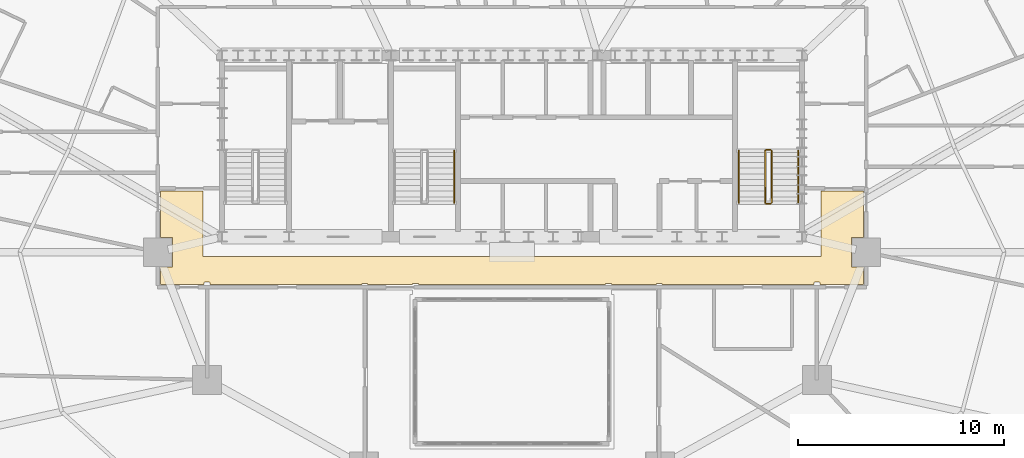
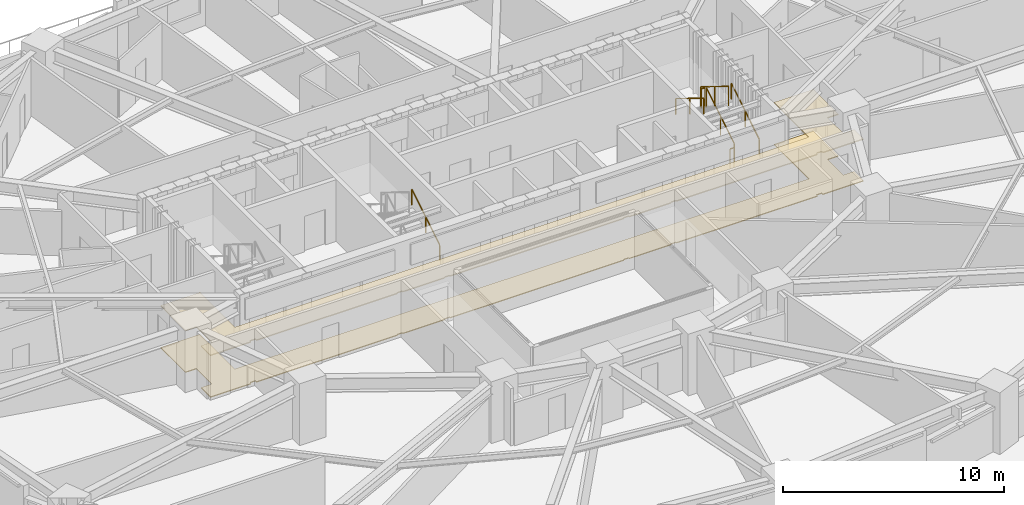
# One storey, part 17 of 18: 7 railings, 2 coverings.
"""IFC4 building model written with IfcOpenShell, lengths in metres."""

import ifcopenshell
import ifcopenshell.guid

model = None  # the IFC model being written
_history = None  # IfcOwnerHistory: only IFC2X3 demands one
_inside = {}  # id of a spatial element -> (the spatial element, [elements in it])
_under = {}  # id of a project, library or spatial element -> (it, [spatial elements below it])
_declared = {}  # id of a project -> (the project, [libraries it declares])
_typed = {}  # id of a type object -> (the type object, [elements of that type])
_made_of = {}  # id of a material, layer set ... -> (it, [elements and type objects made of it])


def new_model(schema):
    """Start an empty IFC model of exactly this schema.

    Asked for "IFC4X3", IfcOpenShell would pick the latest addendum, in which some entities
    have other attributes; the version numbers below select the first issue.
    IFC2X3 requires an IfcOwnerHistory on every rooted entity: one is made here for all.
    """
    global model, _history
    if schema == "IFC4X3":
        model = ifcopenshell.file(schema_version=(4, 3, 0, 0))
    else:
        model = ifcopenshell.file(schema=schema)
    _inside.clear()
    _under.clear()
    _declared.clear()
    _typed.clear()
    _made_of.clear()
    _history = None
    if model.schema == "IFC2X3":
        org = make("IfcOrganization", Name="unknown")
        user = make(
            "IfcPersonAndOrganization",
            ThePerson=make("IfcPerson", FamilyName="unknown"),
            TheOrganization=org,
        )
        app = make(
            "IfcApplication",
            ApplicationDeveloper=org,
            Version="unknown",
            ApplicationFullName="unknown",
            ApplicationIdentifier="unknown",
        )
        _history = make(
            "IfcOwnerHistory",
            OwningUser=user,
            OwningApplication=app,
            ChangeAction="ADDED",
            CreationDate=0,
        )
    return model


def make(cls, **values):
    """One entity of the class cls with the attributes given. An attribute that is None is left unset."""
    return model.create_entity(
        cls, **{name: value for name, value in values.items() if value is not None}
    )


def rooted(cls, **values):
    """An entity with a GlobalId (a new one), such as an element, a storey or a relation."""
    return make(cls, GlobalId=ifcopenshell.guid.new(), OwnerHistory=_history, **values)


def si_unit(unit_type, name, prefix=None):
    """IfcSIUnit, for example si_unit("LENGTHUNIT", "METRE", prefix="MILLI")."""
    return make("IfcSIUnit", UnitType=unit_type, Prefix=prefix, Name=name)


def assignment(units):
    """IfcUnitAssignment: the units of a project."""
    return None if units is None else make("IfcUnitAssignment", Units=units)


def point(xyz):
    """IfcCartesianPoint."""
    return None if xyz is None else make("IfcCartesianPoint", Coordinates=xyz)


def direction(xyz):
    """IfcDirection."""
    return None if xyz is None else make("IfcDirection", DirectionRatios=xyz)


def frame(location, z_axis=None, x_axis=None):
    """IfcAxis2Placement3D, a coordinate frame: its origin and axes. An axis left out is left unset."""
    return make(
        "IfcAxis2Placement3D",
        Location=point(location),
        Axis=direction(z_axis),
        RefDirection=direction(x_axis),
    )


def frame_2d(location, x_axis=None):
    """IfcAxis2Placement2D, a coordinate frame in the plane: its origin and x axis."""
    return make(
        "IfcAxis2Placement2D", Location=point(location), RefDirection=direction(x_axis)
    )


def origin():
    """The frame at (0, 0, 0) with its axes left unset."""
    return frame((0.0, 0.0, 0.0))


def origin_2d():
    """The frame at (0, 0) in the plane with its x axis left unset."""
    return frame_2d((0.0, 0.0))


def place(relative_to, where):
    """IfcLocalPlacement: puts the frame where relative to a parent placement (None: the world)."""
    return make(
        "IfcLocalPlacement", PlacementRelTo=relative_to, RelativePlacement=where
    )


def context(
    kind, dimensions, precision=None, world=None, true_north=None, identifier=None
):
    """IfcGeometricRepresentationContext, for example the 3D "Model" context."""
    return make(
        "IfcGeometricRepresentationContext",
        ContextIdentifier=identifier,
        ContextType=kind,
        CoordinateSpaceDimension=dimensions,
        Precision=precision,
        WorldCoordinateSystem=world,
        TrueNorth=true_north,
    )


def subcontext(parent, identifier, kind, view, scale=None):
    """IfcGeometricRepresentationSubContext, for example "Body" below "Model"."""
    return make(
        "IfcGeometricRepresentationSubContext",
        ContextIdentifier=identifier,
        ContextType=kind,
        ParentContext=parent,
        TargetScale=scale,
        TargetView=view,
    )


def project(units=None, contexts=None):
    """IfcProject with its units and contexts."""
    return rooted(
        "IfcProject",
        Name="project",
        RepresentationContexts=contexts,
        UnitsInContext=assignment(units),
    )


def spatial(cls, under=None, at=None, **own):
    """A site, building, storey or space (cls), placed at a placement, below another one or the project."""
    s = rooted(cls, ObjectPlacement=at, **own)
    if under is not None:
        _under.setdefault(under.id(), (under, []))[1].append(s)
    return s


def polyline(points):
    """IfcPolyline through the points."""
    return make("IfcPolyline", Points=[point(p) for p in points])


def profile(cls, at=None, kind="AREA", **sizes):
    """A parametric profile (cls). Its sizes go by their IFC names, for example OverallWidth=200.0."""
    return make(cls, ProfileType=kind, Position=at, **sizes)


def rectangle(**sizes):
    """IfcRectangleProfileDef."""
    return profile("IfcRectangleProfileDef", **sizes)


def outline(outer, holes=None, kind="AREA"):
    """IfcArbitraryClosedProfileDef: a profile drawn as a closed curve; with holes, ...WithVoids."""
    if holes is None:
        return make("IfcArbitraryClosedProfileDef", ProfileType=kind, OuterCurve=outer)
    return make(
        "IfcArbitraryProfileDefWithVoids",
        ProfileType=kind,
        OuterCurve=outer,
        InnerCurves=holes,
    )


def extrude(swept, where, along, depth):
    """IfcExtrudedAreaSolid: the profile swept, set in the frame where, extruded along a direction by depth."""
    return make(
        "IfcExtrudedAreaSolid",
        SweptArea=swept,
        Position=where,
        ExtrudedDirection=direction(along),
        Depth=depth,
    )


def shape(context_of_items, identifier, shape_type, items):
    """IfcShapeRepresentation: the items that make up one representation, for example the "Body"."""
    return make(
        "IfcShapeRepresentation",
        ContextOfItems=context_of_items,
        RepresentationIdentifier=identifier,
        RepresentationType=shape_type,
        Items=items,
    )


def material(Name=None, Category=None):
    """IfcMaterial."""
    return make("IfcMaterial", Name=Name, Category=Category)


def layer(
    of_material, thickness, ventilated=None, Name=None, Category=None, Priority=None
):
    """IfcMaterialLayer: one layer of a wall or slab, of a material (None: an air gap)."""
    return make(
        "IfcMaterialLayer",
        Material=of_material,
        LayerThickness=thickness,
        IsVentilated=ventilated,
        Name=Name,
        Category=Category,
        Priority=Priority,
    )


def layer_set(layers, Name=None):
    """IfcMaterialLayerSet."""
    return make("IfcMaterialLayerSet", MaterialLayers=layers, LayerSetName=Name)


def made_of(thing, what):
    """Note that an element or type object is made of a material, layer set ...; save() writes the relation."""
    if what is not None:
        _made_of.setdefault(what.id(), (what, []))[1].append(thing)
    return thing


def type_object(cls, material=None, **own):
    """A type object (cls), such as IfcWallType, which elements share."""
    return made_of(rooted(cls, **own), material)


def element(
    cls,
    number,
    at=None,
    inside=None,
    cuts=None,
    type_object=None,
    material=None,
    context=None,
    identifier="Body",
    shape_type=None,
    held_by="IfcProductDefinitionShape",
    body=None,
    shapes=None,
    **own,
):
    """One element of the class cls, such as IfcWall. Its Tag is "e" and its number.

    at: its placement. inside: the storey or other place that contains it. cuts: it is an
    opening in that element (IfcRelVoidsElement). A single representation is given by context,
    identifier, shape_type and body (its items); several are given by shapes. held_by: the class
    of the entity that holds the representations. save() writes the other relations.
    """
    e = rooted(cls, Tag="e%d" % number, ObjectPlacement=at, **own)
    if body is not None:
        shapes = [shape(context, identifier, shape_type, body)]
    if shapes is not None:
        e.Representation = make(held_by, Representations=shapes)
    if inside is not None:
        _inside.setdefault(inside.id(), (inside, []))[1].append(e)
    if cuts is not None:
        rooted(
            "IfcRelVoidsElement", RelatingBuildingElement=cuts, RelatedOpeningElement=e
        )
    if type_object is not None:
        _typed.setdefault(type_object.id(), (type_object, []))[1].append(e)
    return made_of(e, material)


def aggregate(whole, parts):
    """IfcRelAggregates: a whole, such as a stair, and the parts it consists of."""
    return rooted("IfcRelAggregates", RelatingObject=whole, RelatedObjects=parts)


def save(model, path):
    """Write the relations noted so far, then the file.

    IfcRelAggregates (storeys below a building ...), IfcRelContainedInSpatialStructure (elements
    in a storey), IfcRelDefinesByType, IfcRelAssociatesMaterial and IfcRelDeclares: one each for
    every whole, place, type object, material and project.
    """
    for whole, parts in _under.values():
        aggregate(whole, parts)
    for where, things in _inside.values():
        rooted(
            "IfcRelContainedInSpatialStructure",
            RelatedElements=things,
            RelatingStructure=where,
        )
    for kind, things in _typed.values():
        rooted("IfcRelDefinesByType", RelatedObjects=things, RelatingType=kind)
    for what, things in _made_of.values():
        rooted("IfcRelAssociatesMaterial", RelatedObjects=things, RelatingMaterial=what)
    for by, libraries in _declared.values():
        rooted("IfcRelDeclares", RelatingContext=by, RelatedDefinitions=libraries)
    model.write(path)


model = new_model("IFC4")

# Units and contexts
model_context = context("Model", 3, precision=1e-05, world=origin(), true_north=direction((0.0, 1.0)))
body_context = subcontext(model_context, "Body", "Model", "MODEL_VIEW")
ifc_project = project(units=[si_unit("LENGTHUNIT", "METRE"), si_unit("AREAUNIT", "SQUARE_METRE"), si_unit("VOLUMEUNIT", "CUBIC_METRE"), si_unit("PLANEANGLEUNIT", "RADIAN"), si_unit("MASSUNIT", "GRAM", prefix="KILO")], contexts=[model_context])

# Site, building, storey
site_placement = place(None, origin())
site = spatial("IfcSite", under=ifc_project, at=site_placement, CompositionType="ELEMENT")
building_placement = place(site_placement, origin())
building = spatial("IfcBuilding", under=site, at=building_placement, Name="Haldorwick Loom Tower", CompositionType="ELEMENT")
storey_placement = place(building_placement, frame((0.0, 0.0, 24.0)))
storey = spatial("IfcBuildingStorey", under=building, at=storey_placement, Name="L05", CompositionType="ELEMENT", Elevation=24.0)

# Coverings
ifc_material_1 = material(Name="Mineral Fibre Acoustic Ceiling Tile")
ifc_layer_1 = layer(ifc_material_1, 0.054931640625, Name="Mineral Fibre Acoustic Ceiling Tile")
ifc_layer_set_1 = layer_set([ifc_layer_1], Name="Mineral Fibre Acoustic Ceiling Tile")
covering_type_1 = type_object("IfcCoveringType", Name="ARC-COV-CEIL2", PredefinedType="CEILING", material=ifc_layer_set_1)
covering_1_placement = place(storey_placement, frame((0.0, 0.0, 2.302001953125)))
element("IfcCovering", 1, at=covering_1_placement, inside=storey, type_object=covering_type_1, Name="L05 Acoustic Suspended Ceiling 2", PredefinedType="CEILING", context=body_context, shape_type="SweptSolid", body=[
    extrude(outline(polyline([(51.0, 28.9599609375), (51.0, 25.800048828125), (21.0, 25.800048828125), (21.0, 28.9599609375), (18.93994140625, 28.9599609375), (18.93994140625, 26.7080078125), (19.508056640625, 26.7080078125), (19.508056640625, 25.2919921875), (18.93994140625, 25.2919921875), (18.93994140625, 24.43994140625), (21.06005859375, 24.43994140625), (21.06005859375, 24.52001953125), (21.06005859375, 24.52197265625), (21.060302734375, 24.52392578125), (21.060791015625, 24.52587890625), (21.0615234375, 24.527587890625), (21.0625, 24.529296875), (21.0634765625, 24.531005859375), (21.064453125, 24.53271484375), (21.06591796875, 24.5341796875), (21.0673828125, 24.535400390625), (21.06884765625, 24.53662109375), (21.070556640625, 24.53759765625), (21.072265625, 24.53857421875), (21.07421875, 24.5390625), (21.076171875, 24.53955078125), (21.077880859375, 24.539794921875), (21.080078125, 24.5400390625), (21.320068359375, 24.5400390625), (21.322021484375, 24.539794921875), (21.323974609375, 24.53955078125), (21.32568359375, 24.5390625), (21.32763671875, 24.53857421875), (21.329345703125, 24.53759765625), (21.3310546875, 24.53662109375), (21.332763671875, 24.535400390625), (21.333984375, 24.5341796875), (21.33544921875, 24.53271484375), (21.336669921875, 24.531005859375), (21.337646484375, 24.529296875), (21.33837890625, 24.527587890625), (21.339111328125, 24.52587890625), (21.339599609375, 24.52392578125), (21.33984375, 24.52197265625), (21.340087890625, 24.52001953125), (21.340087890625, 24.43994140625), (28.7099609375, 24.43994140625), (28.7099609375, 24.469970703125), (28.710205078125, 24.471923828125), (28.71044921875, 24.473876953125), (28.7109375, 24.475830078125), (28.71142578125, 24.477783203125), (28.71240234375, 24.4794921875), (28.71337890625, 24.481201171875), (28.714599609375, 24.482666015625), (28.7158203125, 24.484130859375), (28.71728515625, 24.485595703125), (28.718994140625, 24.486572265625), (28.720703125, 24.487548828125), (28.722412109375, 24.488525390625), (28.72412109375, 24.489013671875), (28.72607421875, 24.489501953125), (28.72802734375, 24.489990234375), (28.72998046875, 24.489990234375), (28.969970703125, 24.489990234375), (28.971923828125, 24.489990234375), (28.973876953125, 24.489501953125), (28.975830078125, 24.489013671875), (28.977783203125, 24.488525390625), (28.9794921875, 24.487548828125), (28.981201171875, 24.486572265625), (28.982666015625, 24.485595703125), (28.984130859375, 24.484130859375), (28.985595703125, 24.482666015625), (28.986572265625, 24.481201171875), (28.987548828125, 24.4794921875), (28.988525390625, 24.477783203125), (28.989013671875, 24.475830078125), (28.989501953125, 24.473876953125), (28.989990234375, 24.471923828125), (28.989990234375, 24.469970703125), (28.989990234375, 24.43994140625), (31.179931640625, 24.43994140625), (31.179931640625, 24.469970703125), (31.18017578125, 24.471923828125), (31.180419921875, 24.473876953125), (31.180908203125, 24.475830078125), (31.181396484375, 24.477783203125), (31.182373046875, 24.4794921875), (31.183349609375, 24.481201171875), (31.1845703125, 24.482666015625), (31.185791015625, 24.484130859375), (31.187255859375, 24.485595703125), (31.18896484375, 24.486572265625), (31.190673828125, 24.487548828125), (31.1923828125, 24.488525390625), (31.194091796875, 24.489013671875), (31.196044921875, 24.489501953125), (31.197998046875, 24.489990234375), (31.199951171875, 24.489990234375), (31.43994140625, 24.489990234375), (31.44189453125, 24.489990234375), (31.44384765625, 24.489501953125), (31.44580078125, 24.489013671875), (31.44775390625, 24.488525390625), (31.449462890625, 24.487548828125), (31.451171875, 24.486572265625), (31.45263671875, 24.485595703125), (31.4541015625, 24.484130859375), (31.45556640625, 24.482666015625), (31.45654296875, 24.481201171875), (31.45751953125, 24.4794921875), (31.45849609375, 24.477783203125), (31.458984375, 24.475830078125), (31.459716796875, 24.473876953125), (31.4599609375, 24.471923828125), (31.4599609375, 24.469970703125), (31.4599609375, 24.43994140625), (40.5400390625, 24.43994140625), (40.5400390625, 24.469970703125), (40.5400390625, 24.471923828125), (40.540283203125, 24.473876953125), (40.541015625, 24.475830078125), (40.54150390625, 24.477783203125), (40.54248046875, 24.4794921875), (40.54345703125, 24.481201171875), (40.54443359375, 24.482666015625), (40.5458984375, 24.484130859375), (40.54736328125, 24.485595703125), (40.548828125, 24.486572265625), (40.550537109375, 24.487548828125), (40.55224609375, 24.488525390625), (40.55419921875, 24.489013671875), (40.55615234375, 24.489501953125), (40.55810546875, 24.489990234375), (40.56005859375, 24.489990234375), (40.800048828125, 24.489990234375), (40.802001953125, 24.489990234375), (40.803955078125, 24.489501953125), (40.805908203125, 24.489013671875), (40.8076171875, 24.488525390625), (40.809326171875, 24.487548828125), (40.81103515625, 24.486572265625), (40.812744140625, 24.485595703125), (40.814208984375, 24.484130859375), (40.8154296875, 24.482666015625), (40.816650390625, 24.481201171875), (40.817626953125, 24.4794921875), (40.818603515625, 24.477783203125), (40.819091796875, 24.475830078125), (40.819580078125, 24.473876953125), (40.81982421875, 24.471923828125), (40.820068359375, 24.469970703125), (40.820068359375, 24.43994140625), (43.010009765625, 24.43994140625), (43.010009765625, 24.469970703125), (43.010009765625, 24.471923828125), (43.010498046875, 24.473876953125), (43.010986328125, 24.475830078125), (43.011474609375, 24.477783203125), (43.012451171875, 24.4794921875), (43.013427734375, 24.481201171875), (43.014404296875, 24.482666015625), (43.015869140625, 24.484130859375), (43.017333984375, 24.485595703125), (43.018798828125, 24.486572265625), (43.0205078125, 24.487548828125), (43.022216796875, 24.488525390625), (43.024169921875, 24.489013671875), (43.026123046875, 24.489501953125), (43.028076171875, 24.489990234375), (43.030029296875, 24.489990234375), (43.27001953125, 24.489990234375), (43.27197265625, 24.489990234375), (43.27392578125, 24.489501953125), (43.27587890625, 24.489013671875), (43.277587890625, 24.488525390625), (43.279296875, 24.487548828125), (43.281005859375, 24.486572265625), (43.28271484375, 24.485595703125), (43.2841796875, 24.484130859375), (43.285400390625, 24.482666015625), (43.28662109375, 24.481201171875), (43.28759765625, 24.4794921875), (43.28857421875, 24.477783203125), (43.2890625, 24.475830078125), (43.28955078125, 24.473876953125), (43.289794921875, 24.471923828125), (43.2900390625, 24.469970703125), (43.2900390625, 24.43994140625), (50.659912109375, 24.43994140625), (50.659912109375, 24.52001953125), (50.66015625, 24.52197265625), (50.660400390625, 24.52392578125), (50.660888671875, 24.52587890625), (50.66162109375, 24.527587890625), (50.662353515625, 24.529296875), (50.663330078125, 24.531005859375), (50.66455078125, 24.53271484375), (50.666015625, 24.5341796875), (50.667236328125, 24.535400390625), (50.6689453125, 24.53662109375), (50.670654296875, 24.53759765625), (50.67236328125, 24.53857421875), (50.67431640625, 24.5390625), (50.676025390625, 24.53955078125), (50.677978515625, 24.539794921875), (50.679931640625, 24.5400390625), (50.919921875, 24.5400390625), (50.922119140625, 24.539794921875), (50.923828125, 24.53955078125), (50.92578125, 24.5390625), (50.927734375, 24.53857421875), (50.929443359375, 24.53759765625), (50.93115234375, 24.53662109375), (50.9326171875, 24.535400390625), (50.93408203125, 24.5341796875), (50.935546875, 24.53271484375), (50.9365234375, 24.531005859375), (50.9375, 24.529296875), (50.9384765625, 24.527587890625), (50.939208984375, 24.52587890625), (50.939697265625, 24.52392578125), (50.93994140625, 24.52197265625), (50.93994140625, 24.52001953125), (50.93994140625, 24.43994140625), (53.06005859375, 24.43994140625), (53.06005859375, 25.2919921875), (52.491943359375, 25.2919921875), (52.491943359375, 26.7080078125), (53.06005859375, 26.7080078125), (53.06005859375, 28.9599609375), (51.0, 28.9599609375)])), origin(), (0.0, 0.0, 1.0), 0.054931640625),
])
ifc_material_2 = material(Name="Polished Aggregate Terrazzo Finish")
ifc_layer_2 = layer(ifc_material_2, 0.044921875, Name="Polished Aggregate Terrazzo Finish")
ifc_layer_set_2 = layer_set([ifc_layer_2], Name="Polished Aggregate Terrazzo Finish")
covering_type_2 = type_object("IfcCoveringType", Name="ARC-COV-FLOOR2", PredefinedType="FLOORING", material=ifc_layer_set_2)
covering_2_placement = place(storey_placement, origin())
element("IfcCovering", 2, at=covering_2_placement, inside=storey, type_object=covering_type_2, Name="L05 Floor Finish 2", PredefinedType="FLOORING", context=body_context, shape_type="SweptSolid", body=[
    extrude(outline(polyline([(51.0, 28.9599609375), (51.0, 25.800048828125), (21.0, 25.800048828125), (21.0, 28.9599609375), (18.93994140625, 28.9599609375), (18.93994140625, 26.7080078125), (19.508056640625, 26.7080078125), (19.508056640625, 25.2919921875), (18.93994140625, 25.2919921875), (18.93994140625, 24.43994140625), (21.06005859375, 24.43994140625), (21.06005859375, 24.52001953125), (21.06005859375, 24.52197265625), (21.060302734375, 24.52392578125), (21.060791015625, 24.52587890625), (21.0615234375, 24.527587890625), (21.0625, 24.529296875), (21.0634765625, 24.531005859375), (21.064453125, 24.53271484375), (21.06591796875, 24.5341796875), (21.0673828125, 24.535400390625), (21.06884765625, 24.53662109375), (21.070556640625, 24.53759765625), (21.072265625, 24.53857421875), (21.07421875, 24.5390625), (21.076171875, 24.53955078125), (21.077880859375, 24.539794921875), (21.080078125, 24.5400390625), (21.320068359375, 24.5400390625), (21.322021484375, 24.539794921875), (21.323974609375, 24.53955078125), (21.32568359375, 24.5390625), (21.32763671875, 24.53857421875), (21.329345703125, 24.53759765625), (21.3310546875, 24.53662109375), (21.332763671875, 24.535400390625), (21.333984375, 24.5341796875), (21.33544921875, 24.53271484375), (21.336669921875, 24.531005859375), (21.337646484375, 24.529296875), (21.33837890625, 24.527587890625), (21.339111328125, 24.52587890625), (21.339599609375, 24.52392578125), (21.33984375, 24.52197265625), (21.340087890625, 24.52001953125), (21.340087890625, 24.43994140625), (28.7099609375, 24.43994140625), (28.7099609375, 24.469970703125), (28.710205078125, 24.471923828125), (28.71044921875, 24.473876953125), (28.7109375, 24.475830078125), (28.71142578125, 24.477783203125), (28.71240234375, 24.4794921875), (28.71337890625, 24.481201171875), (28.714599609375, 24.482666015625), (28.7158203125, 24.484130859375), (28.71728515625, 24.485595703125), (28.718994140625, 24.486572265625), (28.720703125, 24.487548828125), (28.722412109375, 24.488525390625), (28.72412109375, 24.489013671875), (28.72607421875, 24.489501953125), (28.72802734375, 24.489990234375), (28.72998046875, 24.489990234375), (28.969970703125, 24.489990234375), (28.971923828125, 24.489990234375), (28.973876953125, 24.489501953125), (28.975830078125, 24.489013671875), (28.977783203125, 24.488525390625), (28.9794921875, 24.487548828125), (28.981201171875, 24.486572265625), (28.982666015625, 24.485595703125), (28.984130859375, 24.484130859375), (28.985595703125, 24.482666015625), (28.986572265625, 24.481201171875), (28.987548828125, 24.4794921875), (28.988525390625, 24.477783203125), (28.989013671875, 24.475830078125), (28.989501953125, 24.473876953125), (28.989990234375, 24.471923828125), (28.989990234375, 24.469970703125), (28.989990234375, 24.43994140625), (31.179931640625, 24.43994140625), (31.179931640625, 24.469970703125), (31.18017578125, 24.471923828125), (31.180419921875, 24.473876953125), (31.180908203125, 24.475830078125), (31.181396484375, 24.477783203125), (31.182373046875, 24.4794921875), (31.183349609375, 24.481201171875), (31.1845703125, 24.482666015625), (31.185791015625, 24.484130859375), (31.187255859375, 24.485595703125), (31.18896484375, 24.486572265625), (31.190673828125, 24.487548828125), (31.1923828125, 24.488525390625), (31.194091796875, 24.489013671875), (31.196044921875, 24.489501953125), (31.197998046875, 24.489990234375), (31.199951171875, 24.489990234375), (31.43994140625, 24.489990234375), (31.44189453125, 24.489990234375), (31.44384765625, 24.489501953125), (31.44580078125, 24.489013671875), (31.44775390625, 24.488525390625), (31.449462890625, 24.487548828125), (31.451171875, 24.486572265625), (31.45263671875, 24.485595703125), (31.4541015625, 24.484130859375), (31.45556640625, 24.482666015625), (31.45654296875, 24.481201171875), (31.45751953125, 24.4794921875), (31.45849609375, 24.477783203125), (31.458984375, 24.475830078125), (31.459716796875, 24.473876953125), (31.4599609375, 24.471923828125), (31.4599609375, 24.469970703125), (31.4599609375, 24.43994140625), (40.5400390625, 24.43994140625), (40.5400390625, 24.469970703125), (40.5400390625, 24.471923828125), (40.540283203125, 24.473876953125), (40.541015625, 24.475830078125), (40.54150390625, 24.477783203125), (40.54248046875, 24.4794921875), (40.54345703125, 24.481201171875), (40.54443359375, 24.482666015625), (40.5458984375, 24.484130859375), (40.54736328125, 24.485595703125), (40.548828125, 24.486572265625), (40.550537109375, 24.487548828125), (40.55224609375, 24.488525390625), (40.55419921875, 24.489013671875), (40.55615234375, 24.489501953125), (40.55810546875, 24.489990234375), (40.56005859375, 24.489990234375), (40.800048828125, 24.489990234375), (40.802001953125, 24.489990234375), (40.803955078125, 24.489501953125), (40.805908203125, 24.489013671875), (40.8076171875, 24.488525390625), (40.809326171875, 24.487548828125), (40.81103515625, 24.486572265625), (40.812744140625, 24.485595703125), (40.814208984375, 24.484130859375), (40.8154296875, 24.482666015625), (40.816650390625, 24.481201171875), (40.817626953125, 24.4794921875), (40.818603515625, 24.477783203125), (40.819091796875, 24.475830078125), (40.819580078125, 24.473876953125), (40.81982421875, 24.471923828125), (40.820068359375, 24.469970703125), (40.820068359375, 24.43994140625), (43.010009765625, 24.43994140625), (43.010009765625, 24.469970703125), (43.010009765625, 24.471923828125), (43.010498046875, 24.473876953125), (43.010986328125, 24.475830078125), (43.011474609375, 24.477783203125), (43.012451171875, 24.4794921875), (43.013427734375, 24.481201171875), (43.014404296875, 24.482666015625), (43.015869140625, 24.484130859375), (43.017333984375, 24.485595703125), (43.018798828125, 24.486572265625), (43.0205078125, 24.487548828125), (43.022216796875, 24.488525390625), (43.024169921875, 24.489013671875), (43.026123046875, 24.489501953125), (43.028076171875, 24.489990234375), (43.030029296875, 24.489990234375), (43.27001953125, 24.489990234375), (43.27197265625, 24.489990234375), (43.27392578125, 24.489501953125), (43.27587890625, 24.489013671875), (43.277587890625, 24.488525390625), (43.279296875, 24.487548828125), (43.281005859375, 24.486572265625), (43.28271484375, 24.485595703125), (43.2841796875, 24.484130859375), (43.285400390625, 24.482666015625), (43.28662109375, 24.481201171875), (43.28759765625, 24.4794921875), (43.28857421875, 24.477783203125), (43.2890625, 24.475830078125), (43.28955078125, 24.473876953125), (43.289794921875, 24.471923828125), (43.2900390625, 24.469970703125), (43.2900390625, 24.43994140625), (50.659912109375, 24.43994140625), (50.659912109375, 24.52001953125), (50.66015625, 24.52197265625), (50.660400390625, 24.52392578125), (50.660888671875, 24.52587890625), (50.66162109375, 24.527587890625), (50.662353515625, 24.529296875), (50.663330078125, 24.531005859375), (50.66455078125, 24.53271484375), (50.666015625, 24.5341796875), (50.667236328125, 24.535400390625), (50.6689453125, 24.53662109375), (50.670654296875, 24.53759765625), (50.67236328125, 24.53857421875), (50.67431640625, 24.5390625), (50.676025390625, 24.53955078125), (50.677978515625, 24.539794921875), (50.679931640625, 24.5400390625), (50.919921875, 24.5400390625), (50.922119140625, 24.539794921875), (50.923828125, 24.53955078125), (50.92578125, 24.5390625), (50.927734375, 24.53857421875), (50.929443359375, 24.53759765625), (50.93115234375, 24.53662109375), (50.9326171875, 24.535400390625), (50.93408203125, 24.5341796875), (50.935546875, 24.53271484375), (50.9365234375, 24.531005859375), (50.9375, 24.529296875), (50.9384765625, 24.527587890625), (50.939208984375, 24.52587890625), (50.939697265625, 24.52392578125), (50.93994140625, 24.52197265625), (50.93994140625, 24.52001953125), (50.93994140625, 24.43994140625), (53.06005859375, 24.43994140625), (53.06005859375, 25.2919921875), (52.491943359375, 25.2919921875), (52.491943359375, 26.7080078125), (53.06005859375, 26.7080078125), (53.06005859375, 28.9599609375), (51.0, 28.9599609375)])), origin(), (0.0, 0.0, 1.0), 0.044921875),
])

# Railings
ifc_material_3 = material(Name="Steel CSA G40.21 350W", Category="steel")
railing_type_1 = type_object("IfcRailingType", Name="ARC-RLG-GUARD112", PredefinedType="GUARDRAIL", material=ifc_material_3)
railing_1_placement = place(storey_placement, frame((48.60009765625, 28.39990234375, 0.172607421875)))
element("IfcRailing", 3, at=railing_1_placement, inside=storey, type_object=railing_type_1, Name="L05 ST-02 stair guard 1", PredefinedType="GUARDRAIL", context=body_context, shape_type="SweptSolid", body=[
    extrude(rectangle(XDim=0.048095703125, YDim=0.048095703125, at=origin_2d()), frame((0.0, 0.0, 1.076171875), z_axis=(0.0, 0.851400495292, 0.524516154772), x_axis=(-1.0, 0.0, 0.0)), (0.0, 0.0, 1.0), 2.9599609375),
    extrude(rectangle(XDim=0.0419921875, YDim=0.0419921875, at=origin_2d()), origin(), (0.0, 0.0, 1.0), 1.052001953125),
    extrude(rectangle(XDim=0.0419921875, YDim=0.0419921875, at=origin_2d()), frame((0.0, 1.260009765625, 0.7763671875)), (0.0, 0.0, 1.0), 1.052001953125),
    extrude(rectangle(XDim=0.0419921875, YDim=0.0419921875, at=origin_2d()), frame((0.0, 2.52001953125, 1.552490234375)), (0.0, 0.0, 1.0), 1.052001953125),
])
railing_2_placement = place(storey_placement, frame((48.550048828125, 30.969970703125, 1.72509765625)))
element("IfcRailing", 4, at=railing_2_placement, inside=storey, type_object=railing_type_1, Name="L05 ST-02 stair guard 2", PredefinedType="GUARDRAIL", context=body_context, shape_type="SweptSolid", body=[
    extrude(rectangle(XDim=0.048095703125, YDim=0.048095703125, at=origin_2d()), frame((0.0, 0.0, 1.076171875), z_axis=(-1.0, 0.0, 0.0), x_axis=(0.0, -1.0, 0.0)), (0.0, 0.0, 1.0), 0.199951171875),
    extrude(rectangle(XDim=0.0419921875, YDim=0.0419921875, at=origin_2d()), origin(), (0.0, 0.0, 1.0), 1.052001953125),
    extrude(rectangle(XDim=0.0419921875, YDim=0.0419921875, at=origin_2d()), frame((-0.199951171875, 0.0, 0.0)), (0.0, 0.0, 1.0), 1.052001953125),
])
railing_3_placement = place(storey_placement, frame((48.300048828125, 30.919921875, 1.8974609375)))
element("IfcRailing", 5, at=railing_3_placement, inside=storey, type_object=railing_type_1, Name="L05 ST-02 stair guard 3", PredefinedType="GUARDRAIL", context=body_context, shape_type="SweptSolid", body=[
    extrude(rectangle(XDim=0.048095703125, YDim=0.048095703125, at=origin_2d()), frame((0.0, 0.0, 1.076171875), z_axis=(0.0, -0.851400495292, 0.524516154772), x_axis=(1.0, 0.0, 0.0)), (0.0, 0.0, 1.0), 2.9599609375),
    extrude(rectangle(XDim=0.0419921875, YDim=0.0419921875, at=origin_2d()), origin(), (0.0, 0.0, 1.0), 1.052001953125),
    extrude(rectangle(XDim=0.0419921875, YDim=0.0419921875, at=origin_2d()), frame((0.0, -1.260009765625, 0.7763671875)), (0.0, 0.0, 1.0), 1.052001953125),
    extrude(rectangle(XDim=0.0419921875, YDim=0.0419921875, at=origin_2d()), frame((0.0, -2.52001953125, 1.552490234375)), (0.0, 0.0, 1.0), 1.052001953125),
])
railing_4_placement = place(storey_placement, frame((48.550048828125, 28.35009765625, 0.0)))
element("IfcRailing", 6, at=railing_4_placement, inside=storey, type_object=railing_type_1, Name="L05 ST-02 stair guard 4", PredefinedType="GUARDRAIL", context=body_context, shape_type="SweptSolid", body=[
    extrude(rectangle(XDim=0.048095703125, YDim=0.048095703125, at=origin_2d()), frame((0.0, 0.0, 1.076171875), z_axis=(-1.0, 0.0, 0.0), x_axis=(0.0, -1.0, 0.0)), (0.0, 0.0, 1.0), 0.199951171875),
    extrude(rectangle(XDim=0.0419921875, YDim=0.0419921875, at=origin_2d()), origin(), (0.0, 0.0, 1.0), 1.052001953125),
    extrude(rectangle(XDim=0.0419921875, YDim=0.0419921875, at=origin_2d()), frame((-0.199951171875, 0.0, 0.0)), (0.0, 0.0, 1.0), 1.052001953125),
])
railing_type_2 = type_object("IfcRailingType", Name="ARC-RLG-HAND092", PredefinedType="HANDRAIL", material=ifc_material_3)
railing_5_placement = place(storey_placement, frame((49.89990234375, 28.39990234375, 0.172607421875)))
element("IfcRailing", 7, at=railing_5_placement, inside=storey, type_object=railing_type_2, Name="L05 ST-02 stair handrail 1", PredefinedType="HANDRAIL", context=body_context, shape_type="SweptSolid", body=[
    extrude(rectangle(XDim=0.048095703125, YDim=0.048095703125, at=origin_2d()), frame((0.0, 0.0, 0.8759765625), z_axis=(0.0, 0.851400495292, 0.524516154772), x_axis=(-1.0, 0.0, 0.0)), (0.0, 0.0, 1.0), 2.9599609375),
    extrude(rectangle(XDim=0.0419921875, YDim=0.0419921875, at=origin_2d()), origin(), (0.0, 0.0, 1.0), 0.851806640625),
    extrude(rectangle(XDim=0.0419921875, YDim=0.0419921875, at=origin_2d()), frame((0.0, 1.260009765625, 0.7763671875)), (0.0, 0.0, 1.0), 0.851806640625),
    extrude(rectangle(XDim=0.0419921875, YDim=0.0419921875, at=origin_2d()), frame((0.0, 2.52001953125, 1.552490234375)), (0.0, 0.0, 1.0), 0.851806640625),
])
railing_6_placement = place(storey_placement, frame((47.0, 30.919921875, 1.8974609375)))
element("IfcRailing", 8, at=railing_6_placement, inside=storey, type_object=railing_type_2, Name="L05 ST-02 stair handrail 2", PredefinedType="HANDRAIL", context=body_context, shape_type="SweptSolid", body=[
    extrude(rectangle(XDim=0.048095703125, YDim=0.048095703125, at=origin_2d()), frame((0.0, 0.0, 0.8759765625), z_axis=(0.0, -0.851400495292, 0.524516154772), x_axis=(1.0, 0.0, 0.0)), (0.0, 0.0, 1.0), 2.9599609375),
    extrude(rectangle(XDim=0.0419921875, YDim=0.0419921875, at=origin_2d()), origin(), (0.0, 0.0, 1.0), 0.851806640625),
    extrude(rectangle(XDim=0.0419921875, YDim=0.0419921875, at=origin_2d()), frame((0.0, -1.260009765625, 0.7763671875)), (0.0, 0.0, 1.0), 0.851806640625),
    extrude(rectangle(XDim=0.0419921875, YDim=0.0419921875, at=origin_2d()), frame((0.0, -2.52001953125, 1.552490234375)), (0.0, 0.0, 1.0), 0.851806640625),
])
railing_7_placement = place(storey_placement, frame((33.199951171875, 28.39990234375, 0.172607421875)))
element("IfcRailing", 9, at=railing_7_placement, inside=storey, type_object=railing_type_2, Name="L05 ST-03 stair handrail 1", PredefinedType="HANDRAIL", context=body_context, shape_type="SweptSolid", body=[
    extrude(rectangle(XDim=0.048095703125, YDim=0.048095703125, at=origin_2d()), frame((0.0, 0.0, 0.8759765625), z_axis=(0.0, 0.851400495292, 0.524516154772), x_axis=(-1.0, 0.0, 0.0)), (0.0, 0.0, 1.0), 2.9599609375),
    extrude(rectangle(XDim=0.0419921875, YDim=0.0419921875, at=origin_2d()), origin(), (0.0, 0.0, 1.0), 0.851806640625),
    extrude(rectangle(XDim=0.0419921875, YDim=0.0419921875, at=origin_2d()), frame((0.0, 1.260009765625, 0.7763671875)), (0.0, 0.0, 1.0), 0.851806640625),
    extrude(rectangle(XDim=0.0419921875, YDim=0.0419921875, at=origin_2d()), frame((0.0, 2.52001953125, 1.552490234375)), (0.0, 0.0, 1.0), 0.851806640625),
])

save(model, "model.ifc")
